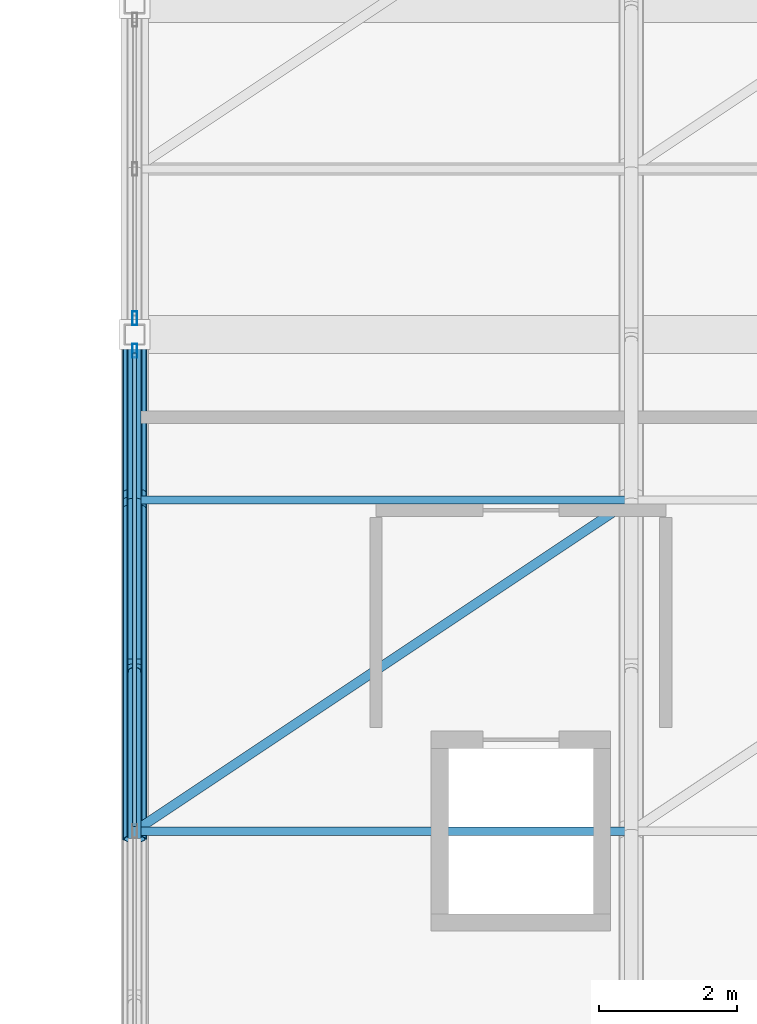
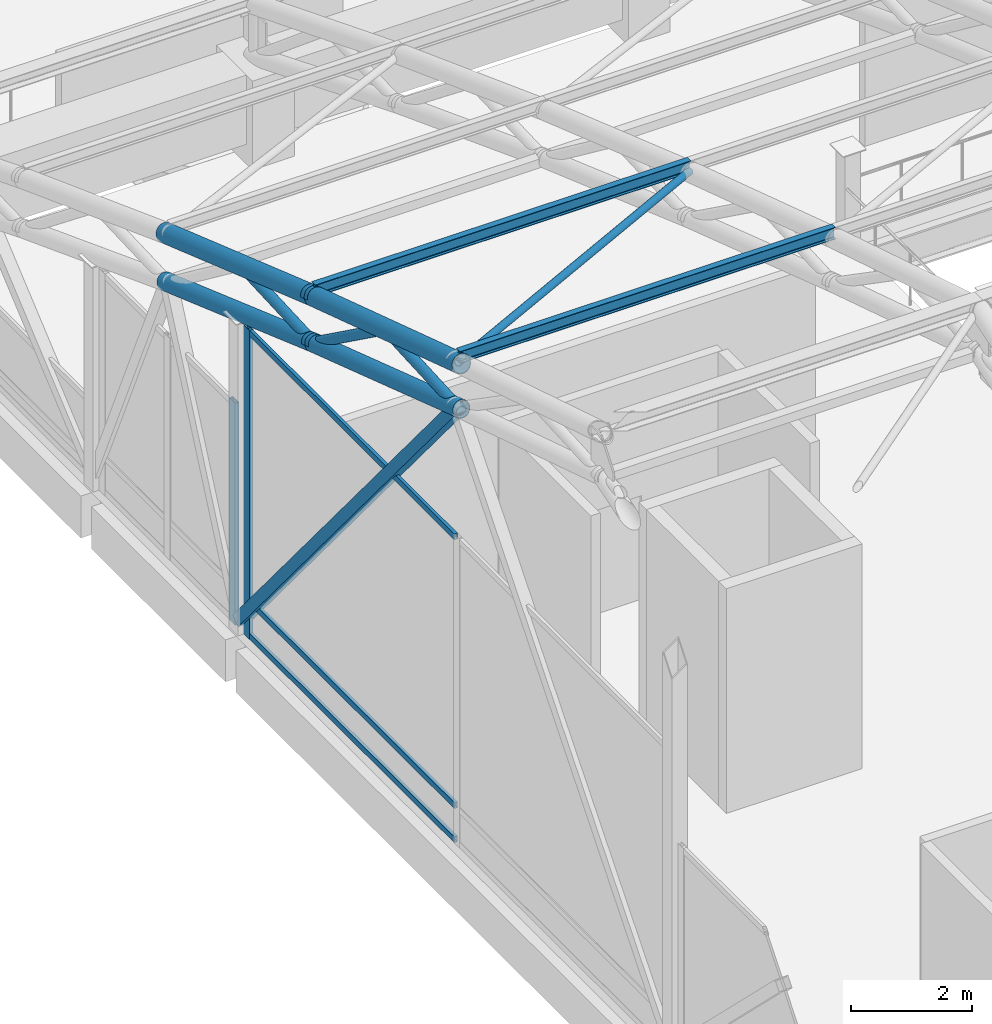
# One storey, part 46 of 116: 16 members, 2 elements without a shape of their own.
"""IFC4 building model written with IfcOpenShell, lengths in metres."""

from ifc_helpers import new_model, si_unit, direction, frame, origin, origin_2d, place, context, subcontext, project, spatial, hollow_rectangle, hollow_circle, i_section, extrude, material, material_profile, profile_set, type_object, element, aggregate, save


model = new_model("IFC4")

# Units and contexts
model_context = context("Model", 3, precision=1e-05, world=origin(), true_north=direction((0.0, 1.0)))
body_context = subcontext(model_context, "Body", "Model", "MODEL_VIEW")
ifc_project = project(units=[si_unit("LENGTHUNIT", "METRE"), si_unit("AREAUNIT", "SQUARE_METRE"), si_unit("VOLUMEUNIT", "CUBIC_METRE"), si_unit("PLANEANGLEUNIT", "RADIAN"), si_unit("MASSUNIT", "GRAM", prefix="KILO")], contexts=[model_context])

# Site, building, storey
site_placement = place(None, origin())
site = spatial("IfcSite", under=ifc_project, at=site_placement, CompositionType="ELEMENT")
building_placement = place(site_placement, origin())
building = spatial("IfcBuilding", under=site, at=building_placement, Name="Cendralis Lancet Convention Centre", CompositionType="ELEMENT")
storey_placement = place(building_placement, frame((0.0, 0.0, 15.0)))
storey = spatial("IfcBuildingStorey", under=building, at=storey_placement, Name="L03", CompositionType="ELEMENT", Elevation=15.0)

# Curtain wall, member
ifc_material_1 = material(Name="Anodised bronze architectural aluminium", Category="aluminium")
curtain_wall_type = type_object("IfcCurtainWallType", Name="ARC-CW-PL02", PredefinedType="USERDEFINED", material=ifc_material_1)
curtain_wall_1_placement = place(storey_placement, origin())
curtain_wall_1 = element("IfcCurtainWall", 1, at=curtain_wall_1_placement, inside=storey, type_object=curtain_wall_type, Name="L03 Curtain Wall CW-PL2 #138", ObjectType="CURTAIN WALL", PredefinedType="USERDEFINED")
ifc_material_profile_1 = material_profile(ifc_material_1, hollow_rectangle(XDim=0.070068359375, YDim=0.199951171875, WallThickness=0.0048828125, at=origin_2d()), Name="AL-MULL 70x200x5.0")
ifc_profile_set_1 = profile_set([ifc_material_profile_1], Name="Anodised bronze architectural aluminium")
member_type_1 = type_object("IfcMemberType", Name="ARC-CW-ML02", PredefinedType="MULLION", material=ifc_profile_set_1)
member_1_placement = place(storey_placement, frame((139.199951171875, 78.965087890625, 0.0), z_axis=(0.0, 0.0, 1.0), x_axis=(1.0, 0.0, 0.0)))
member_1 = element("IfcMember", 2, at=member_1_placement, type_object=member_type_1, Name="Mullion CW2-CW-PL2-L03-138-M2", PredefinedType="MULLION", context=body_context, shape_type="SweptSolid", body=[
    extrude(hollow_rectangle(XDim=0.070068359375, YDim=0.199951171875, WallThickness=0.0048828125, at=origin_2d()), origin(), (0.0, 0.0, 1.0), 6.2548828125),
])

curtain_wall_2_placement = place(storey_placement, origin())
curtain_wall_2 = element("IfcCurtainWall", 3, at=curtain_wall_2_placement, inside=storey, type_object=curtain_wall_type, Name="L03 Curtain Wall CW-PL2 #139", ObjectType="CURTAIN WALL", PredefinedType="USERDEFINED")
member_2_placement = place(storey_placement, frame((139.199951171875, 79.43505859375, 0.0), z_axis=(0.0, 0.0, 1.0), x_axis=(1.0, 0.0, 0.0)))
member_2 = element("IfcMember", 4, at=member_2_placement, type_object=member_type_1, Name="Mullion CW2-CW-PL2-L03-139-M0", PredefinedType="MULLION", context=body_context, shape_type="SweptSolid", body=[
    extrude(hollow_rectangle(XDim=0.070068359375, YDim=0.199951171875, WallThickness=0.0048828125, at=origin_2d()), origin(), (0.0, 0.0, 1.0), 4.4970703125),
])
aggregate(curtain_wall_2, [member_2])

# Member
ifc_material_profile_2 = material_profile(ifc_material_1, hollow_rectangle(XDim=0.06005859375, YDim=0.1201171875, WallThickness=0.00390625, at=origin_2d()), Name="AL-TRAN 60x120x4.0")
ifc_profile_set_2 = profile_set([ifc_material_profile_2], Name="Anodised bronze architectural aluminium")
member_type_2 = type_object("IfcMemberType", Name="ARC-CW-TR01", PredefinedType="USERDEFINED", material=ifc_profile_set_2)
member_3_placement = place(storey_placement, frame((139.199951171875, 72.070068359375, 0.06005859375), z_axis=(0.0, 1.0, 0.0), x_axis=(-1.0, 0.0, 0.0)))
member_3 = element("IfcMember", 5, at=member_3_placement, type_object=member_type_2, Name="Transom CW2-CW-PL2-L03-138-T1BOT", ObjectType="TRANSOM", PredefinedType="USERDEFINED", context=body_context, shape_type="SweptSolid", body=[
    extrude(hollow_rectangle(XDim=0.06005859375, YDim=0.1201171875, WallThickness=0.00390625, at=origin_2d()), origin(), (0.0, 0.0, 1.0), 6.85986328125),
])

member_4_placement = place(storey_placement, frame((139.199951171875, 72.070068359375, 0.75), z_axis=(0.0, 1.0, 0.0), x_axis=(-1.0, 0.0, 0.0)))
member_4 = element("IfcMember", 6, at=member_4_placement, type_object=member_type_2, Name="Transom CW2-CW-PL2-L03-138-T1MID", ObjectType="TRANSOM", PredefinedType="USERDEFINED", context=body_context, shape_type="SweptSolid", body=[
    extrude(hollow_rectangle(XDim=0.06005859375, YDim=0.1201171875, WallThickness=0.00390625, at=origin_2d()), origin(), (0.0, 0.0, 1.0), 6.85986328125),
])

member_5_placement = place(storey_placement, frame((139.199951171875, 72.070068359375, 6.195068359375), z_axis=(0.0, 1.0, 0.0), x_axis=(-1.0, 0.0, 0.0)))
member_5 = element("IfcMember", 7, at=member_5_placement, type_object=member_type_2, Name="Transom CW2-CW-PL2-L03-138-T1TOP", ObjectType="TRANSOM", PredefinedType="USERDEFINED", context=body_context, shape_type="SweptSolid", body=[
    extrude(hollow_rectangle(XDim=0.06005859375, YDim=0.1201171875, WallThickness=0.00390625, at=origin_2d()), origin(), (0.0, 0.0, 1.0), 6.85986328125),
])

aggregate(curtain_wall_1, [member_1, member_3, member_4, member_5])

# Members
ifc_material_2 = material(Name="Steel S355", Category="steel")
ifc_material_profile_3 = material_profile(ifc_material_2, hollow_rectangle(XDim=0.219970703125, YDim=0.219970703125, WallThickness=0.012451171875, at=origin_2d()), Name="SHS 220x220x12.5")
ifc_profile_set_3 = profile_set([ifc_material_profile_3], Name="Steel S355")
member_type_3 = type_object("IfcMemberType", Name="STR-BR-GB02", PredefinedType="BRACE", material=ifc_profile_set_3)
member_6_placement = place(storey_placement, frame((139.199951171875, 79.199951171875, 0.199951171875), z_axis=(0.0, -0.639706349846, 0.768619402544), x_axis=(1.0, 0.0, 0.0)))
element("IfcMember", 8, at=member_6_placement, inside=storey, type_object=member_type_3, Name="Plenary Gable Gothic Ogival Tracery Rib GBR2 #066", PredefinedType="BRACE", context=body_context, shape_type="SweptSolid", body=[
    extrude(hollow_rectangle(XDim=0.219970703125, YDim=0.219970703125, WallThickness=0.012451171875, at=origin_2d()), origin(), (0.0, 0.0, 1.0), 11.255126953125),
])
ifc_material_profile_4 = material_profile(ifc_material_2, hollow_circle(Radius=0.06982421875, WallThickness=0.00634765625, at=origin_2d()), Name="CHS 139.7x6.3")
ifc_profile_set_4 = profile_set([ifc_material_profile_4], Name="Steel S355")
member_type_4 = type_object("IfcMemberType", Name="STR-BR-RB02", PredefinedType="BRACE", material=ifc_profile_set_4)
member_7_placement = place(storey_placement, frame((139.199951171875, 72.0, 9.7666015625), z_axis=(0.818780471721, 0.545862902394, -0.177854521781), x_axis=(-0.554706707029, 0.832045953765, 0.0)))
element("IfcMember", 9, at=member_7_placement, inside=storey, type_object=member_type_4, Name="Roof Diaphragm Brace RB02 V2-00-06A", PredefinedType="BRACE", context=body_context, shape_type="SweptSolid", body=[
    extrude(hollow_circle(Radius=0.06982421875, WallThickness=0.00634765625, at=origin_2d()), origin(), (0.0, 0.0, 1.0), 8.79345703125),
])
ifc_material_profile_5 = material_profile(ifc_material_2, i_section(OverallWidth=0.1201171875, OverallDepth=0.239990234375, WebThickness=0.006103515625, FlangeThickness=0.009765625, FilletRadius=0.014892578125, at=origin_2d()), Name="IPE 240")
ifc_profile_set_5 = profile_set([ifc_material_profile_5], Name="Steel S355")
member_type_5 = type_object("IfcMemberType", Name="STR-PR-PR02", PredefinedType="PURLIN", material=ifc_profile_set_5)
for number, where, z_axis, x_axis, name in (
    (10, (139.199951171875, 72.0, 9.896484375), (1.0, 0.0, 0.0), (0.0, 1.0, 0.0), "Vault Roof Purlin PR02 V2-00-06"),
    (11, (139.199951171875, 76.800048828125, 8.332763671875), (1.0, 0.0, 0.0), (0.0, 1.0, 0.0), "Vault Roof Purlin PR02 V2-00-07"),
):
    element("IfcMember", number, at=place(storey_placement, frame(where, z_axis=z_axis, x_axis=x_axis)), inside=storey, type_object=member_type_5, Name=name, PredefinedType="PURLIN", context=body_context, shape_type="SweptSolid", body=[
        extrude(i_section(OverallWidth=0.1201171875, OverallDepth=0.239990234375, WebThickness=0.006103515625, FlangeThickness=0.009765625, FilletRadius=0.014892578125, at=origin_2d()), origin(), (0.0, 0.0, 1.0), 7.199951171875),
    ])
ifc_material_profile_6 = material_profile(ifc_material_2, hollow_circle(Radius=0.161865234375, WallThickness=0.01416015625, at=origin_2d()), Name="CHS 323.9x14.2")
ifc_profile_set_6 = profile_set([ifc_material_profile_6], Name="Steel S355")
member_type_6 = type_object("IfcMemberType", Name="STR-TR-BC02", PredefinedType="CHORD", material=ifc_profile_set_6)
member_8_placement = place(storey_placement, frame((139.199951171875, 71.885986328125, 8.888916015625), z_axis=(0.0, 0.948830629051, -0.315785429325), x_axis=(-1.0, 0.0, 0.0)))
element("IfcMember", 12, at=member_8_placement, inside=storey, type_object=member_type_6, Name="ROOF TRUSS AT-V2-01 Bottom Chord 06", PredefinedType="CHORD", context=body_context, shape_type="SweptSolid", body=[
    extrude(hollow_circle(Radius=0.161865234375, WallThickness=0.01416015625, at=origin_2d()), origin(), (0.0, 0.0, 1.0), 5.299072265625),
])
member_9_placement = place(storey_placement, frame((139.199951171875, 76.68701171875, 7.29345703125), z_axis=(0.0, 0.942788943503, -0.333390173833), x_axis=(-1.0, 0.0, 0.0)))
element("IfcMember", 13, at=member_9_placement, inside=storey, type_object=member_type_6, Name="ROOF TRUSS AT-V2-01 Bottom Chord 07", PredefinedType="CHORD", context=body_context, shape_type="SweptSolid", body=[
    extrude(hollow_circle(Radius=0.161865234375, WallThickness=0.01416015625, at=origin_2d()), origin(), (0.0, 0.0, 1.0), 5.3310546875),
])
ifc_material_profile_7 = material_profile(ifc_material_2, hollow_circle(Radius=0.177734375, WallThickness=0.01611328125, at=origin_2d()), Name="CHS 355.6x16.0")
ifc_profile_set_7 = profile_set([ifc_material_profile_7], Name="Steel S355")
member_type_7 = type_object("IfcMemberType", Name="STR-TR-TC02", PredefinedType="CHORD", material=ifc_profile_set_7)
member_10_placement = place(storey_placement, frame((139.199951171875, 71.885986328125, 9.8037109375), z_axis=(0.0, 0.950808200203, -0.309780190501), x_axis=(-1.0, 0.0, 0.0)))
element("IfcMember", 14, at=member_10_placement, inside=storey, type_object=member_type_7, Name="ROOF TRUSS AT-V2-01 Top Chord 06", PredefinedType="CHORD", context=body_context, shape_type="SweptSolid", body=[
    extrude(hollow_circle(Radius=0.177734375, WallThickness=0.01611328125, at=origin_2d()), origin(), (0.0, 0.0, 1.0), 5.288330078125),
])
member_11_placement = place(storey_placement, frame((139.199951171875, 76.6865234375, 8.241943359375), z_axis=(0.0, 0.944848505706, -0.327507711764), x_axis=(-1.0, 0.0, 0.0)))
element("IfcMember", 15, at=member_11_placement, inside=storey, type_object=member_type_7, Name="ROOF TRUSS AT-V2-01 Top Chord 07", PredefinedType="CHORD", context=body_context, shape_type="SweptSolid", body=[
    extrude(hollow_circle(Radius=0.177734375, WallThickness=0.01611328125, at=origin_2d()), origin(), (0.0, 0.0, 1.0), 5.3203125),
])
ifc_material_profile_8 = material_profile(ifc_material_2, hollow_circle(Radius=0.096923828125, WallThickness=0.008056640625, at=origin_2d()), Name="CHS 193.7x8.0")
ifc_profile_set_8 = profile_set([ifc_material_profile_8], Name="Steel S355")
member_type_8 = type_object("IfcMemberType", Name="STR-TR-WD02", PredefinedType="BRACE", material=ifc_profile_set_8)
member_12_placement = place(storey_placement, frame((139.199951171875, 71.900146484375, 8.84521484375), z_axis=(0.0, 0.998447632237, 0.055698524939), x_axis=(-1.0, 0.0, 0.0)))
element("IfcMember", 16, at=member_12_placement, inside=storey, type_object=member_type_8, Name="ROOF TRUSS AT-V2-01 Warren Web 06-0", PredefinedType="BRACE", context=body_context, shape_type="SweptSolid", body=[
    extrude(hollow_circle(Radius=0.096923828125, WallThickness=0.008056640625, at=origin_2d()), origin(), (0.0, 0.0, 1.0), 2.603759765625),
])
member_13_placement = place(storey_placement, frame((139.199951171875, 74.31884765625, 9.043212890625), z_axis=(0.0, 0.811035686786, -0.584996679273), x_axis=(-1.0, 0.0, 0.0)))
element("IfcMember", 17, at=member_13_placement, inside=storey, type_object=member_type_8, Name="ROOF TRUSS AT-V2-01 Warren Web 06-1", PredefinedType="BRACE", context=body_context, shape_type="SweptSolid", body=[
    extrude(hollow_circle(Radius=0.096923828125, WallThickness=0.008056640625, at=origin_2d()), origin(), (0.0, 0.0, 1.0), 3.1591796875),
])
member_14_placement = place(storey_placement, frame((139.199951171875, 76.7001953125, 7.24853515625), z_axis=(0.0, 0.998805103147, 0.048870910851), x_axis=(-1.0, 0.0, 0.0)))
element("IfcMember", 18, at=member_14_placement, inside=storey, type_object=member_type_8, Name="ROOF TRUSS AT-V2-01 Warren Web 07-0", PredefinedType="BRACE", context=body_context, shape_type="SweptSolid", body=[
    extrude(hollow_circle(Radius=0.096923828125, WallThickness=0.008056640625, at=origin_2d()), origin(), (0.0, 0.0, 1.0), 2.602783203125),
])

save(model, "model.ifc")
